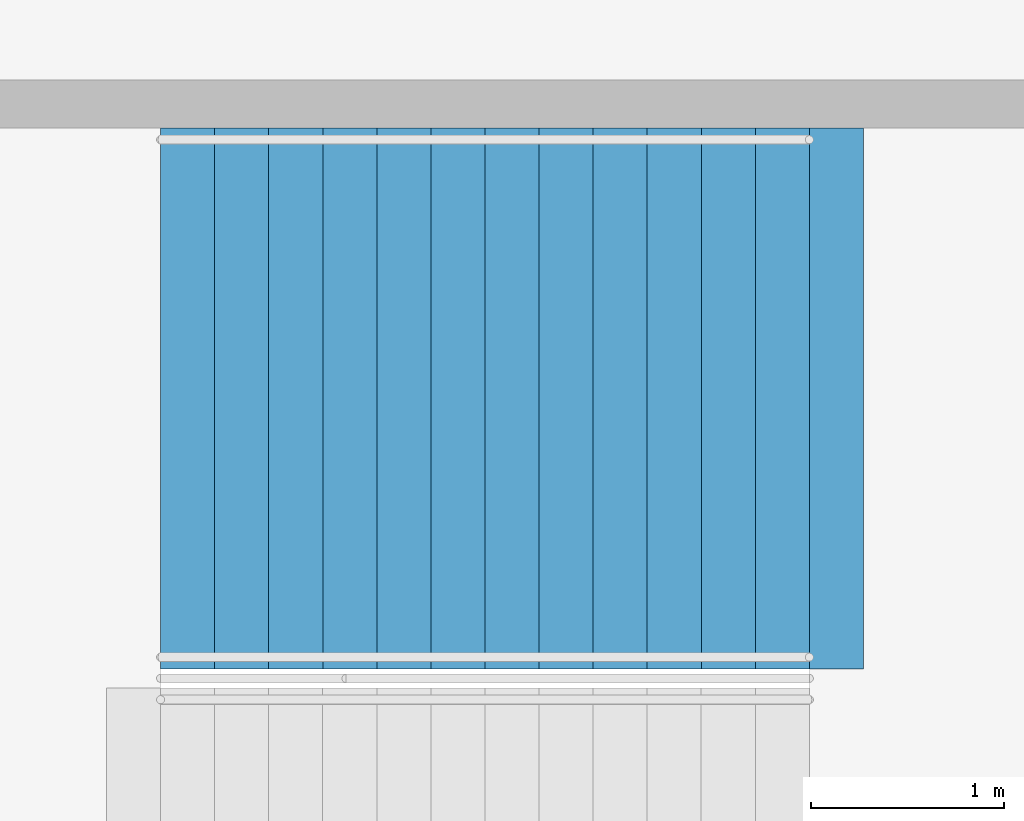
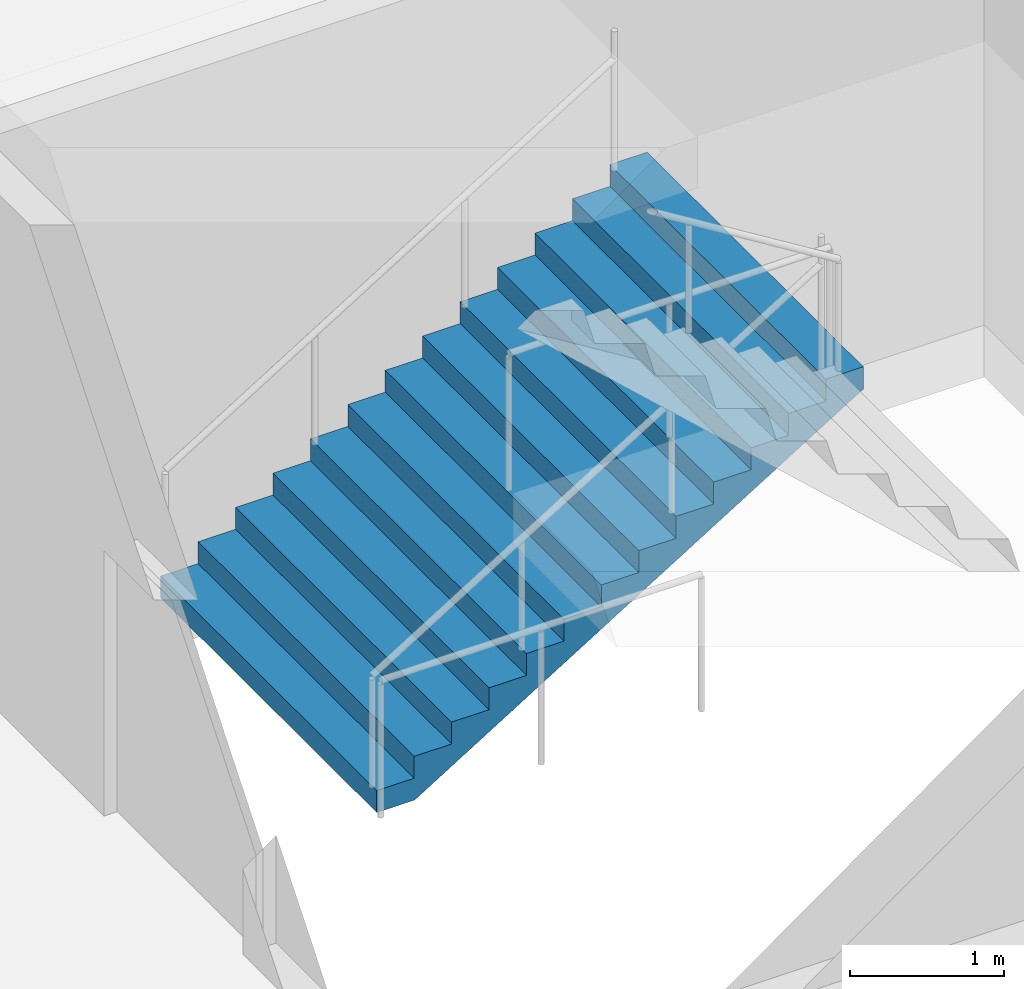
# One storey, part 145 of 199: 1 stair flight, 1 element without a shape of its own.
"""IFC4 building model written with IfcOpenShell, lengths in metres."""

import ifcopenshell
import ifcopenshell.guid

model = None  # the IFC model being written
_history = None  # IfcOwnerHistory: only IFC2X3 demands one
_inside = {}  # id of a spatial element -> (the spatial element, [elements in it])
_under = {}  # id of a project, library or spatial element -> (it, [spatial elements below it])
_declared = {}  # id of a project -> (the project, [libraries it declares])
_typed = {}  # id of a type object -> (the type object, [elements of that type])
_made_of = {}  # id of a material, layer set ... -> (it, [elements and type objects made of it])


def new_model(schema):
    """Start an empty IFC model of exactly this schema.

    Asked for "IFC4X3", IfcOpenShell would pick the latest addendum, in which some entities
    have other attributes; the version numbers below select the first issue.
    IFC2X3 requires an IfcOwnerHistory on every rooted entity: one is made here for all.
    """
    global model, _history
    if schema == "IFC4X3":
        model = ifcopenshell.file(schema_version=(4, 3, 0, 0))
    else:
        model = ifcopenshell.file(schema=schema)
    _inside.clear()
    _under.clear()
    _declared.clear()
    _typed.clear()
    _made_of.clear()
    _history = None
    if model.schema == "IFC2X3":
        org = make("IfcOrganization", Name="unknown")
        user = make(
            "IfcPersonAndOrganization",
            ThePerson=make("IfcPerson", FamilyName="unknown"),
            TheOrganization=org,
        )
        app = make(
            "IfcApplication",
            ApplicationDeveloper=org,
            Version="unknown",
            ApplicationFullName="unknown",
            ApplicationIdentifier="unknown",
        )
        _history = make(
            "IfcOwnerHistory",
            OwningUser=user,
            OwningApplication=app,
            ChangeAction="ADDED",
            CreationDate=0,
        )
    return model


def make(cls, **values):
    """One entity of the class cls with the attributes given. An attribute that is None is left unset."""
    return model.create_entity(
        cls, **{name: value for name, value in values.items() if value is not None}
    )


def rooted(cls, **values):
    """An entity with a GlobalId (a new one), such as an element, a storey or a relation."""
    return make(cls, GlobalId=ifcopenshell.guid.new(), OwnerHistory=_history, **values)


def si_unit(unit_type, name, prefix=None):
    """IfcSIUnit, for example si_unit("LENGTHUNIT", "METRE", prefix="MILLI")."""
    return make("IfcSIUnit", UnitType=unit_type, Prefix=prefix, Name=name)


def assignment(units):
    """IfcUnitAssignment: the units of a project."""
    return None if units is None else make("IfcUnitAssignment", Units=units)


def point(xyz):
    """IfcCartesianPoint."""
    return None if xyz is None else make("IfcCartesianPoint", Coordinates=xyz)


def direction(xyz):
    """IfcDirection."""
    return None if xyz is None else make("IfcDirection", DirectionRatios=xyz)


def frame(location, z_axis=None, x_axis=None):
    """IfcAxis2Placement3D, a coordinate frame: its origin and axes. An axis left out is left unset."""
    return make(
        "IfcAxis2Placement3D",
        Location=point(location),
        Axis=direction(z_axis),
        RefDirection=direction(x_axis),
    )


def origin():
    """The frame at (0, 0, 0) with its axes left unset."""
    return frame((0.0, 0.0, 0.0))


def place(relative_to, where):
    """IfcLocalPlacement: puts the frame where relative to a parent placement (None: the world)."""
    return make(
        "IfcLocalPlacement", PlacementRelTo=relative_to, RelativePlacement=where
    )


def context(
    kind, dimensions, precision=None, world=None, true_north=None, identifier=None
):
    """IfcGeometricRepresentationContext, for example the 3D "Model" context."""
    return make(
        "IfcGeometricRepresentationContext",
        ContextIdentifier=identifier,
        ContextType=kind,
        CoordinateSpaceDimension=dimensions,
        Precision=precision,
        WorldCoordinateSystem=world,
        TrueNorth=true_north,
    )


def subcontext(parent, identifier, kind, view, scale=None):
    """IfcGeometricRepresentationSubContext, for example "Body" below "Model"."""
    return make(
        "IfcGeometricRepresentationSubContext",
        ContextIdentifier=identifier,
        ContextType=kind,
        ParentContext=parent,
        TargetScale=scale,
        TargetView=view,
    )


def project(units=None, contexts=None):
    """IfcProject with its units and contexts."""
    return rooted(
        "IfcProject",
        Name="project",
        RepresentationContexts=contexts,
        UnitsInContext=assignment(units),
    )


def spatial(cls, under=None, at=None, **own):
    """A site, building, storey or space (cls), placed at a placement, below another one or the project."""
    s = rooted(cls, ObjectPlacement=at, **own)
    if under is not None:
        _under.setdefault(under.id(), (under, []))[1].append(s)
    return s


def faces_of(points, faces, orient=None, outer=None):
    """IfcFace entities. A face is a list of loops; a loop is a list of indices into points, from 0.

    orient and outer hold one flag for each loop. By default every Orientation is true, the
    first loop of a face is its IfcFaceOuterBound and the others are IfcFaceBound.
    """
    made = []
    for i, loops in enumerate(faces):
        bounds = []
        for j, loop in enumerate(loops):
            is_outer = j == 0 if outer is None else outer[i][j]
            bounds.append(
                make(
                    "IfcFaceOuterBound" if is_outer else "IfcFaceBound",
                    Bound=make("IfcPolyLoop", Polygon=[points[k] for k in loop]),
                    Orientation=True if orient is None else orient[i][j],
                )
            )
        made.append(make("IfcFace", Bounds=bounds))
    return made


def faceted_brep(points, faces, orient=None, outer=None, voids=None):
    """IfcFacetedBrep: a solid bounded by flat faces; with voids (closed shells), ...WithVoids."""
    shared = [point(p) for p in points]
    hull = make("IfcClosedShell", CfsFaces=faces_of(shared, faces, orient, outer))
    if voids is None:
        return make("IfcFacetedBrep", Outer=hull)
    return make(
        "IfcFacetedBrepWithVoids",
        Outer=hull,
        Voids=[
            make(cls, CfsFaces=faces_of(shared, fs, o, b)) for cls, fs, o, b in voids
        ],
    )


def shape(context_of_items, identifier, shape_type, items):
    """IfcShapeRepresentation: the items that make up one representation, for example the "Body"."""
    return make(
        "IfcShapeRepresentation",
        ContextOfItems=context_of_items,
        RepresentationIdentifier=identifier,
        RepresentationType=shape_type,
        Items=items,
    )


def material(Name=None, Category=None):
    """IfcMaterial."""
    return make("IfcMaterial", Name=Name, Category=Category)


def made_of(thing, what):
    """Note that an element or type object is made of a material, layer set ...; save() writes the relation."""
    if what is not None:
        _made_of.setdefault(what.id(), (what, []))[1].append(thing)
    return thing


def type_object(cls, material=None, **own):
    """A type object (cls), such as IfcWallType, which elements share."""
    return made_of(rooted(cls, **own), material)


def element(
    cls,
    number,
    at=None,
    inside=None,
    cuts=None,
    type_object=None,
    material=None,
    context=None,
    identifier="Body",
    shape_type=None,
    held_by="IfcProductDefinitionShape",
    body=None,
    shapes=None,
    **own,
):
    """One element of the class cls, such as IfcWall. Its Tag is "e" and its number.

    at: its placement. inside: the storey or other place that contains it. cuts: it is an
    opening in that element (IfcRelVoidsElement). A single representation is given by context,
    identifier, shape_type and body (its items); several are given by shapes. held_by: the class
    of the entity that holds the representations. save() writes the other relations.
    """
    e = rooted(cls, Tag="e%d" % number, ObjectPlacement=at, **own)
    if body is not None:
        shapes = [shape(context, identifier, shape_type, body)]
    if shapes is not None:
        e.Representation = make(held_by, Representations=shapes)
    if inside is not None:
        _inside.setdefault(inside.id(), (inside, []))[1].append(e)
    if cuts is not None:
        rooted(
            "IfcRelVoidsElement", RelatingBuildingElement=cuts, RelatedOpeningElement=e
        )
    if type_object is not None:
        _typed.setdefault(type_object.id(), (type_object, []))[1].append(e)
    return made_of(e, material)


def aggregate(whole, parts):
    """IfcRelAggregates: a whole, such as a stair, and the parts it consists of."""
    return rooted("IfcRelAggregates", RelatingObject=whole, RelatedObjects=parts)


def save(model, path):
    """Write the relations noted so far, then the file.

    IfcRelAggregates (storeys below a building ...), IfcRelContainedInSpatialStructure (elements
    in a storey), IfcRelDefinesByType, IfcRelAssociatesMaterial and IfcRelDeclares: one each for
    every whole, place, type object, material and project.
    """
    for whole, parts in _under.values():
        aggregate(whole, parts)
    for where, things in _inside.values():
        rooted(
            "IfcRelContainedInSpatialStructure",
            RelatedElements=things,
            RelatingStructure=where,
        )
    for kind, things in _typed.values():
        rooted("IfcRelDefinesByType", RelatedObjects=things, RelatingType=kind)
    for what, things in _made_of.values():
        rooted("IfcRelAssociatesMaterial", RelatedObjects=things, RelatingMaterial=what)
    for by, libraries in _declared.values():
        rooted("IfcRelDeclares", RelatingContext=by, RelatedDefinitions=libraries)
    model.write(path)


model = new_model("IFC4")

# Units and contexts
model_context = context("Model", 3, precision=1e-05, world=origin(), true_north=direction((0.0, 1.0)))
body_context = subcontext(model_context, "Body", "Model", "MODEL_VIEW")
ifc_project = project(units=[si_unit("LENGTHUNIT", "METRE"), si_unit("AREAUNIT", "SQUARE_METRE"), si_unit("VOLUMEUNIT", "CUBIC_METRE"), si_unit("PLANEANGLEUNIT", "RADIAN"), si_unit("MASSUNIT", "GRAM", prefix="KILO")], contexts=[model_context])

# Site, building, storey
site_placement = place(None, origin())
site = spatial("IfcSite", under=ifc_project, at=site_placement, CompositionType="ELEMENT")
building_placement = place(site_placement, origin())
building = spatial("IfcBuilding", under=site, at=building_placement, Name="Ogive Plaza Stadium", CompositionType="ELEMENT")
storey_placement = place(building_placement, frame((0.0, 0.0, 9.0)))
storey = spatial("IfcBuildingStorey", under=building, at=storey_placement, Name="L02", CompositionType="ELEMENT", Elevation=9.0)

# Stair, stair flight
ifc_material_1 = material(Name="Concrete C40/50", Category="concrete")
stair_type = type_object("IfcStairType", Name="Exit stair", PredefinedType="STRAIGHT_RUN_STAIR", material=ifc_material_1)
stair_placement = place(storey_placement, origin())
stair = element("IfcStair", 1, at=stair_placement, inside=storey, type_object=stair_type, Name="Exit stair ST06B L02 to L03", PredefinedType="STRAIGHT_RUN_STAIR")
ifc_material_2 = material(Name="Concrete C40/50", Category="concrete")
stair_flight_type = type_object("IfcStairFlightType", Name="Exit stair flight", PredefinedType="STRAIGHT", material=ifc_material_2)
stair_flight_placement = place(storey_placement, frame((76.35009765625, -18.074951171875, 0.0), z_axis=(0.0, 0.0, 1.0), x_axis=(1.0, 0.0, 0.0)))
stair_flight = element("IfcStairFlight", 2, at=stair_flight_placement, type_object=stair_flight_type, Name="ST06B flight 1", NumberOfRisers=13, NumberOfTreads=12, PredefinedType="STRAIGHT", RiserHeight=0.173076923, TreadLength=0.28, context=body_context, shape_type="Brep", body=[
    faceted_brep([(0.28515625, -1.39990234375, 0.0), (3.639892578125, -1.39990234375, 2.07373046875), (3.639892578125, -1.39990234375, 2.25), (3.360107421875, -1.39990234375, 2.25), (3.360107421875, -1.39990234375, 2.076904296875), (3.080078125, -1.39990234375, 2.076904296875), (3.080078125, -1.39990234375, 1.90380859375), (2.800048828125, -1.39990234375, 1.90380859375), (2.800048828125, -1.39990234375, 1.730712890625), (2.52001953125, -1.39990234375, 1.730712890625), (2.52001953125, -1.39990234375, 1.5576171875), (2.239990234375, -1.39990234375, 1.5576171875), (2.239990234375, -1.39990234375, 1.384521484375), (1.9599609375, -1.39990234375, 1.384521484375), (1.9599609375, -1.39990234375, 1.21142578125), (1.679931640625, -1.39990234375, 1.21142578125), (1.679931640625, -1.39990234375, 1.03857421875), (1.39990234375, -1.39990234375, 1.03857421875), (1.39990234375, -1.39990234375, 0.865478515625), (1.1201171875, -1.39990234375, 0.865478515625), (1.1201171875, -1.39990234375, 0.6923828125), (0.840087890625, -1.39990234375, 0.6923828125), (0.840087890625, -1.39990234375, 0.519287109375), (0.56005859375, -1.39990234375, 0.519287109375), (0.56005859375, -1.39990234375, 0.34619140625), (0.280029296875, -1.39990234375, 0.34619140625), (0.280029296875, -1.39990234375, 0.173095703125), (0.0, -1.39990234375, 0.173095703125), (0.0, -1.39990234375, 0.0), (0.0, 1.39990234375, 0.0), (0.0, 1.39990234375, 0.173095703125), (0.280029296875, 1.39990234375, 0.173095703125), (0.280029296875, 1.39990234375, 0.34619140625), (0.56005859375, 1.39990234375, 0.34619140625), (0.56005859375, 1.39990234375, 0.519287109375), (0.840087890625, 1.39990234375, 0.519287109375), (0.840087890625, 1.39990234375, 0.6923828125), (1.1201171875, 1.39990234375, 0.6923828125), (1.1201171875, 1.39990234375, 0.865478515625), (1.39990234375, 1.39990234375, 0.865478515625), (1.39990234375, 1.39990234375, 1.03857421875), (1.679931640625, 1.39990234375, 1.03857421875), (1.679931640625, 1.39990234375, 1.21142578125), (1.9599609375, 1.39990234375, 1.21142578125), (1.9599609375, 1.39990234375, 1.384521484375), (2.239990234375, 1.39990234375, 1.384521484375), (2.239990234375, 1.39990234375, 1.5576171875), (2.52001953125, 1.39990234375, 1.5576171875), (2.52001953125, 1.39990234375, 1.730712890625), (2.800048828125, 1.39990234375, 1.730712890625), (2.800048828125, 1.39990234375, 1.90380859375), (3.080078125, 1.39990234375, 1.90380859375), (3.080078125, 1.39990234375, 2.076904296875), (3.360107421875, 1.39990234375, 2.076904296875), (3.360107421875, 1.39990234375, 2.25), (3.639892578125, 1.39990234375, 2.25), (3.639892578125, 1.39990234375, 2.07373046875), (0.28515625, 1.39990234375, 0.0), (0.28515625, -1.0888671875, 0.0), (3.639892578125, -1.0888671875, 2.07373046875), (0.28515625, -0.77783203125, 0.0), (3.639892578125, -0.77783203125, 2.07373046875), (0.28515625, -0.466796875, 0.0), (3.639892578125, -0.466796875, 2.07373046875), (0.28515625, -0.155517578125, 0.0), (3.639892578125, -0.155517578125, 2.07373046875), (0.28515625, 0.155517578125, 0.0), (3.639892578125, 0.155517578125, 2.07373046875), (0.28515625, 0.466796875, 0.0), (3.639892578125, 0.466796875, 2.07373046875), (0.28515625, 0.77783203125, 0.0), (3.639892578125, 0.77783203125, 2.07373046875), (0.28515625, 1.0888671875, 0.0), (3.639892578125, 1.0888671875, 2.07373046875), (3.639892578125, -1.0888671875, 2.25), (3.639892578125, -0.77783203125, 2.25), (3.639892578125, -0.466796875, 2.25), (3.639892578125, -0.155517578125, 2.25), (3.639892578125, 0.155517578125, 2.25), (3.639892578125, 0.466796875, 2.25), (3.639892578125, 0.77783203125, 2.25), (3.639892578125, 1.0888671875, 2.25), (3.360107421875, -1.0888671875, 2.25), (3.360107421875, -0.77783203125, 2.25), (3.360107421875, -0.466796875, 2.25), (3.360107421875, -0.155517578125, 2.25), (3.360107421875, 0.155517578125, 2.25), (3.360107421875, 0.466796875, 2.25), (3.360107421875, 0.77783203125, 2.25), (3.360107421875, 1.0888671875, 2.25), (3.360107421875, -1.0888671875, 2.076904296875), (3.360107421875, -0.77783203125, 2.076904296875), (3.360107421875, -0.466796875, 2.076904296875), (3.360107421875, -0.155517578125, 2.076904296875), (3.360107421875, 0.155517578125, 2.076904296875), (3.360107421875, 0.466796875, 2.076904296875), (3.360107421875, 0.77783203125, 2.076904296875), (3.360107421875, 1.0888671875, 2.076904296875), (3.080078125, -1.0888671875, 2.076904296875), (3.080078125, -0.77783203125, 2.076904296875), (3.080078125, -0.466796875, 2.076904296875), (3.080078125, -0.155517578125, 2.076904296875), (3.080078125, 0.155517578125, 2.076904296875), (3.080078125, 0.466796875, 2.076904296875), (3.080078125, 0.77783203125, 2.076904296875), (3.080078125, 1.0888671875, 2.076904296875), (3.080078125, -1.0888671875, 1.90380859375), (3.080078125, -0.77783203125, 1.90380859375), (3.080078125, -0.466796875, 1.90380859375), (3.080078125, -0.155517578125, 1.90380859375), (3.080078125, 0.155517578125, 1.90380859375), (3.080078125, 0.466796875, 1.90380859375), (3.080078125, 0.77783203125, 1.90380859375), (3.080078125, 1.0888671875, 1.90380859375), (2.800048828125, -1.0888671875, 1.90380859375), (2.800048828125, -0.77783203125, 1.90380859375), (2.800048828125, -0.466796875, 1.90380859375), (2.800048828125, -0.155517578125, 1.90380859375), (2.800048828125, 0.155517578125, 1.90380859375), (2.800048828125, 0.466796875, 1.90380859375), (2.800048828125, 0.77783203125, 1.90380859375), (2.800048828125, 1.0888671875, 1.90380859375), (2.800048828125, -1.0888671875, 1.730712890625), (2.800048828125, -0.77783203125, 1.730712890625), (2.800048828125, -0.466796875, 1.730712890625), (2.800048828125, -0.155517578125, 1.730712890625), (2.800048828125, 0.155517578125, 1.730712890625), (2.800048828125, 0.466796875, 1.730712890625), (2.800048828125, 0.77783203125, 1.730712890625), (2.800048828125, 1.0888671875, 1.730712890625), (2.52001953125, -1.0888671875, 1.730712890625), (2.52001953125, -0.77783203125, 1.730712890625), (2.52001953125, -0.466796875, 1.730712890625), (2.52001953125, -0.155517578125, 1.730712890625), (2.52001953125, 0.155517578125, 1.730712890625), (2.52001953125, 0.466796875, 1.730712890625), (2.52001953125, 0.77783203125, 1.730712890625), (2.52001953125, 1.0888671875, 1.730712890625), (2.52001953125, -1.0888671875, 1.5576171875), (2.52001953125, -0.77783203125, 1.5576171875), (2.52001953125, -0.466796875, 1.5576171875), (2.52001953125, -0.155517578125, 1.5576171875), (2.52001953125, 0.155517578125, 1.5576171875), (2.52001953125, 0.466796875, 1.5576171875), (2.52001953125, 0.77783203125, 1.5576171875), (2.52001953125, 1.0888671875, 1.5576171875), (2.239990234375, -1.0888671875, 1.5576171875), (2.239990234375, -0.77783203125, 1.5576171875), (2.239990234375, -0.466796875, 1.5576171875), (2.239990234375, -0.155517578125, 1.5576171875), (2.239990234375, 0.155517578125, 1.5576171875), (2.239990234375, 0.466796875, 1.5576171875), (2.239990234375, 0.77783203125, 1.5576171875), (2.239990234375, 1.0888671875, 1.5576171875), (2.239990234375, -1.0888671875, 1.384521484375), (2.239990234375, -0.77783203125, 1.384521484375), (2.239990234375, -0.466796875, 1.384521484375), (2.239990234375, -0.155517578125, 1.384521484375), (2.239990234375, 0.155517578125, 1.384521484375), (2.239990234375, 0.466796875, 1.384521484375), (2.239990234375, 0.77783203125, 1.384521484375), (2.239990234375, 1.0888671875, 1.384521484375), (1.9599609375, -1.0888671875, 1.384521484375), (1.9599609375, -0.77783203125, 1.384521484375), (1.9599609375, -0.466796875, 1.384521484375), (1.9599609375, -0.155517578125, 1.384521484375), (1.9599609375, 0.155517578125, 1.384521484375), (1.9599609375, 0.466796875, 1.384521484375), (1.9599609375, 0.77783203125, 1.384521484375), (1.9599609375, 1.0888671875, 1.384521484375), (1.9599609375, -1.0888671875, 1.21142578125), (1.9599609375, -0.77783203125, 1.21142578125), (1.9599609375, -0.466796875, 1.21142578125), (1.9599609375, -0.155517578125, 1.21142578125), (1.9599609375, 0.155517578125, 1.21142578125), (1.9599609375, 0.466796875, 1.21142578125), (1.9599609375, 0.77783203125, 1.21142578125), (1.9599609375, 1.0888671875, 1.21142578125), (1.679931640625, -1.0888671875, 1.21142578125), (1.679931640625, -0.77783203125, 1.21142578125), (1.679931640625, -0.466796875, 1.21142578125), (1.679931640625, -0.155517578125, 1.21142578125), (1.679931640625, 0.155517578125, 1.21142578125), (1.679931640625, 0.466796875, 1.21142578125), (1.679931640625, 0.77783203125, 1.21142578125), (1.679931640625, 1.0888671875, 1.21142578125), (1.679931640625, -1.0888671875, 1.03857421875), (1.679931640625, -0.77783203125, 1.03857421875), (1.679931640625, -0.466796875, 1.03857421875), (1.679931640625, -0.155517578125, 1.03857421875), (1.679931640625, 0.155517578125, 1.03857421875), (1.679931640625, 0.466796875, 1.03857421875), (1.679931640625, 0.77783203125, 1.03857421875), (1.679931640625, 1.0888671875, 1.03857421875), (1.39990234375, -1.0888671875, 1.03857421875), (1.39990234375, -0.77783203125, 1.03857421875), (1.39990234375, -0.466796875, 1.03857421875), (1.39990234375, -0.155517578125, 1.03857421875), (1.39990234375, 0.155517578125, 1.03857421875), (1.39990234375, 0.466796875, 1.03857421875), (1.39990234375, 0.77783203125, 1.03857421875), (1.39990234375, 1.0888671875, 1.03857421875), (1.39990234375, -1.0888671875, 0.865478515625), (1.39990234375, -0.77783203125, 0.865478515625), (1.39990234375, -0.466796875, 0.865478515625), (1.39990234375, -0.155517578125, 0.865478515625), (1.39990234375, 0.155517578125, 0.865478515625), (1.39990234375, 0.466796875, 0.865478515625), (1.39990234375, 0.77783203125, 0.865478515625), (1.39990234375, 1.0888671875, 0.865478515625), (1.1201171875, -1.0888671875, 0.865478515625), (1.1201171875, -0.77783203125, 0.865478515625), (1.1201171875, -0.466796875, 0.865478515625), (1.1201171875, -0.155517578125, 0.865478515625), (1.1201171875, 0.155517578125, 0.865478515625), (1.1201171875, 0.466796875, 0.865478515625), (1.1201171875, 0.77783203125, 0.865478515625), (1.1201171875, 1.0888671875, 0.865478515625), (1.1201171875, -1.0888671875, 0.6923828125), (1.1201171875, -0.77783203125, 0.6923828125), (1.1201171875, -0.466796875, 0.6923828125), (1.1201171875, -0.155517578125, 0.6923828125), (1.1201171875, 0.155517578125, 0.6923828125), (1.1201171875, 0.466796875, 0.6923828125), (1.1201171875, 0.77783203125, 0.6923828125), (1.1201171875, 1.0888671875, 0.6923828125), (0.840087890625, -1.0888671875, 0.6923828125), (0.840087890625, -0.77783203125, 0.6923828125), (0.840087890625, -0.466796875, 0.6923828125), (0.840087890625, -0.155517578125, 0.6923828125), (0.840087890625, 0.155517578125, 0.6923828125), (0.840087890625, 0.466796875, 0.6923828125), (0.840087890625, 0.77783203125, 0.6923828125), (0.840087890625, 1.0888671875, 0.6923828125), (0.840087890625, -1.0888671875, 0.519287109375), (0.840087890625, -0.77783203125, 0.519287109375), (0.840087890625, -0.466796875, 0.519287109375), (0.840087890625, -0.155517578125, 0.519287109375), (0.840087890625, 0.155517578125, 0.519287109375), (0.840087890625, 0.466796875, 0.519287109375), (0.840087890625, 0.77783203125, 0.519287109375), (0.840087890625, 1.0888671875, 0.519287109375), (0.56005859375, -1.0888671875, 0.519287109375), (0.56005859375, -0.77783203125, 0.519287109375), (0.56005859375, -0.466796875, 0.519287109375), (0.56005859375, -0.155517578125, 0.519287109375), (0.56005859375, 0.155517578125, 0.519287109375), (0.56005859375, 0.466796875, 0.519287109375), (0.56005859375, 0.77783203125, 0.519287109375), (0.56005859375, 1.0888671875, 0.519287109375), (0.56005859375, -1.0888671875, 0.34619140625), (0.56005859375, -0.77783203125, 0.34619140625), (0.56005859375, -0.466796875, 0.34619140625), (0.56005859375, -0.155517578125, 0.34619140625), (0.56005859375, 0.155517578125, 0.34619140625), (0.56005859375, 0.466796875, 0.34619140625), (0.56005859375, 0.77783203125, 0.34619140625), (0.56005859375, 1.0888671875, 0.34619140625), (0.280029296875, -1.0888671875, 0.34619140625), (0.280029296875, -0.77783203125, 0.34619140625), (0.280029296875, -0.466796875, 0.34619140625), (0.280029296875, -0.155517578125, 0.34619140625), (0.280029296875, 0.155517578125, 0.34619140625), (0.280029296875, 0.466796875, 0.34619140625), (0.280029296875, 0.77783203125, 0.34619140625), (0.280029296875, 1.0888671875, 0.34619140625), (0.280029296875, -1.0888671875, 0.173095703125), (0.280029296875, -0.77783203125, 0.173095703125), (0.280029296875, -0.466796875, 0.173095703125), (0.280029296875, -0.155517578125, 0.173095703125), (0.280029296875, 0.155517578125, 0.173095703125), (0.280029296875, 0.466796875, 0.173095703125), (0.280029296875, 0.77783203125, 0.173095703125), (0.280029296875, 1.0888671875, 0.173095703125), (0.0, -1.0888671875, 0.173095703125), (0.0, -0.77783203125, 0.173095703125), (0.0, -0.466796875, 0.173095703125), (0.0, -0.155517578125, 0.173095703125), (0.0, 0.155517578125, 0.173095703125), (0.0, 0.466796875, 0.173095703125), (0.0, 0.77783203125, 0.173095703125), (0.0, 1.0888671875, 0.173095703125), (0.0, -1.0888671875, 0.0), (0.0, -0.77783203125, 0.0), (0.0, -0.466796875, 0.0), (0.0, -0.155517578125, 0.0), (0.0, 0.155517578125, 0.0), (0.0, 0.466796875, 0.0), (0.0, 0.77783203125, 0.0), (0.0, 1.0888671875, 0.0)], [[[0, 1, 2, 3, 4, 5, 6, 7, 8, 9, 10, 11, 12, 13, 14, 15, 16, 17, 18, 19, 20, 21, 22, 23, 24, 25, 26, 27, 28]], [[29, 30, 31, 32, 33, 34, 35, 36, 37, 38, 39, 40, 41, 42, 43, 44, 45, 46, 47, 48, 49, 50, 51, 52, 53, 54, 55, 56, 57]], [[0, 58, 59, 1]], [[58, 60, 61, 59]], [[60, 62, 63, 61]], [[62, 64, 65, 63]], [[64, 66, 67, 65]], [[66, 68, 69, 67]], [[68, 70, 71, 69]], [[70, 72, 73, 71]], [[72, 57, 56, 73]], [[1, 59, 74, 2]], [[59, 61, 75, 74]], [[61, 63, 76, 75]], [[63, 65, 77, 76]], [[65, 67, 78, 77]], [[67, 69, 79, 78]], [[69, 71, 80, 79]], [[71, 73, 81, 80]], [[73, 56, 55, 81]], [[2, 74, 82, 3]], [[74, 75, 83, 82]], [[75, 76, 84, 83]], [[76, 77, 85, 84]], [[77, 78, 86, 85]], [[78, 79, 87, 86]], [[79, 80, 88, 87]], [[80, 81, 89, 88]], [[81, 55, 54, 89]], [[3, 82, 90, 4]], [[82, 83, 91, 90]], [[83, 84, 92, 91]], [[84, 85, 93, 92]], [[85, 86, 94, 93]], [[86, 87, 95, 94]], [[87, 88, 96, 95]], [[88, 89, 97, 96]], [[89, 54, 53, 97]], [[4, 90, 98, 5]], [[90, 91, 99, 98]], [[91, 92, 100, 99]], [[92, 93, 101, 100]], [[93, 94, 102, 101]], [[94, 95, 103, 102]], [[95, 96, 104, 103]], [[96, 97, 105, 104]], [[97, 53, 52, 105]], [[5, 98, 106, 6]], [[98, 99, 107, 106]], [[99, 100, 108, 107]], [[100, 101, 109, 108]], [[101, 102, 110, 109]], [[102, 103, 111, 110]], [[103, 104, 112, 111]], [[104, 105, 113, 112]], [[105, 52, 51, 113]], [[6, 106, 114, 7]], [[106, 107, 115, 114]], [[107, 108, 116, 115]], [[108, 109, 117, 116]], [[109, 110, 118, 117]], [[110, 111, 119, 118]], [[111, 112, 120, 119]], [[112, 113, 121, 120]], [[113, 51, 50, 121]], [[7, 114, 122, 8]], [[114, 115, 123, 122]], [[115, 116, 124, 123]], [[116, 117, 125, 124]], [[117, 118, 126, 125]], [[118, 119, 127, 126]], [[119, 120, 128, 127]], [[120, 121, 129, 128]], [[121, 50, 49, 129]], [[8, 122, 130, 9]], [[122, 123, 131, 130]], [[123, 124, 132, 131]], [[124, 125, 133, 132]], [[125, 126, 134, 133]], [[126, 127, 135, 134]], [[127, 128, 136, 135]], [[128, 129, 137, 136]], [[129, 49, 48, 137]], [[9, 130, 138, 10]], [[130, 131, 139, 138]], [[131, 132, 140, 139]], [[132, 133, 141, 140]], [[133, 134, 142, 141]], [[134, 135, 143, 142]], [[135, 136, 144, 143]], [[136, 137, 145, 144]], [[137, 48, 47, 145]], [[10, 138, 146, 11]], [[138, 139, 147, 146]], [[139, 140, 148, 147]], [[140, 141, 149, 148]], [[141, 142, 150, 149]], [[142, 143, 151, 150]], [[143, 144, 152, 151]], [[144, 145, 153, 152]], [[145, 47, 46, 153]], [[11, 146, 154, 12]], [[146, 147, 155, 154]], [[147, 148, 156, 155]], [[148, 149, 157, 156]], [[149, 150, 158, 157]], [[150, 151, 159, 158]], [[151, 152, 160, 159]], [[152, 153, 161, 160]], [[153, 46, 45, 161]], [[12, 154, 162, 13]], [[154, 155, 163, 162]], [[155, 156, 164, 163]], [[156, 157, 165, 164]], [[157, 158, 166, 165]], [[158, 159, 167, 166]], [[159, 160, 168, 167]], [[160, 161, 169, 168]], [[161, 45, 44, 169]], [[13, 162, 170, 14]], [[162, 163, 171, 170]], [[163, 164, 172, 171]], [[164, 165, 173, 172]], [[165, 166, 174, 173]], [[166, 167, 175, 174]], [[167, 168, 176, 175]], [[168, 169, 177, 176]], [[169, 44, 43, 177]], [[14, 170, 178, 15]], [[170, 171, 179, 178]], [[171, 172, 180, 179]], [[172, 173, 181, 180]], [[173, 174, 182, 181]], [[174, 175, 183, 182]], [[175, 176, 184, 183]], [[176, 177, 185, 184]], [[177, 43, 42, 185]], [[15, 178, 186, 16]], [[178, 179, 187, 186]], [[179, 180, 188, 187]], [[180, 181, 189, 188]], [[181, 182, 190, 189]], [[182, 183, 191, 190]], [[183, 184, 192, 191]], [[184, 185, 193, 192]], [[185, 42, 41, 193]], [[16, 186, 194, 17]], [[186, 187, 195, 194]], [[187, 188, 196, 195]], [[188, 189, 197, 196]], [[189, 190, 198, 197]], [[190, 191, 199, 198]], [[191, 192, 200, 199]], [[192, 193, 201, 200]], [[193, 41, 40, 201]], [[17, 194, 202, 18]], [[194, 195, 203, 202]], [[195, 196, 204, 203]], [[196, 197, 205, 204]], [[197, 198, 206, 205]], [[198, 199, 207, 206]], [[199, 200, 208, 207]], [[200, 201, 209, 208]], [[201, 40, 39, 209]], [[18, 202, 210, 19]], [[202, 203, 211, 210]], [[203, 204, 212, 211]], [[204, 205, 213, 212]], [[205, 206, 214, 213]], [[206, 207, 215, 214]], [[207, 208, 216, 215]], [[208, 209, 217, 216]], [[209, 39, 38, 217]], [[19, 210, 218, 20]], [[210, 211, 219, 218]], [[211, 212, 220, 219]], [[212, 213, 221, 220]], [[213, 214, 222, 221]], [[214, 215, 223, 222]], [[215, 216, 224, 223]], [[216, 217, 225, 224]], [[217, 38, 37, 225]], [[20, 218, 226, 21]], [[218, 219, 227, 226]], [[219, 220, 228, 227]], [[220, 221, 229, 228]], [[221, 222, 230, 229]], [[222, 223, 231, 230]], [[223, 224, 232, 231]], [[224, 225, 233, 232]], [[225, 37, 36, 233]], [[21, 226, 234, 22]], [[226, 227, 235, 234]], [[227, 228, 236, 235]], [[228, 229, 237, 236]], [[229, 230, 238, 237]], [[230, 231, 239, 238]], [[231, 232, 240, 239]], [[232, 233, 241, 240]], [[233, 36, 35, 241]], [[22, 234, 242, 23]], [[234, 235, 243, 242]], [[235, 236, 244, 243]], [[236, 237, 245, 244]], [[237, 238, 246, 245]], [[238, 239, 247, 246]], [[239, 240, 248, 247]], [[240, 241, 249, 248]], [[241, 35, 34, 249]], [[23, 242, 250, 24]], [[242, 243, 251, 250]], [[243, 244, 252, 251]], [[244, 245, 253, 252]], [[245, 246, 254, 253]], [[246, 247, 255, 254]], [[247, 248, 256, 255]], [[248, 249, 257, 256]], [[249, 34, 33, 257]], [[24, 250, 258, 25]], [[250, 251, 259, 258]], [[251, 252, 260, 259]], [[252, 253, 261, 260]], [[253, 254, 262, 261]], [[254, 255, 263, 262]], [[255, 256, 264, 263]], [[256, 257, 265, 264]], [[257, 33, 32, 265]], [[25, 258, 266, 26]], [[258, 259, 267, 266]], [[259, 260, 268, 267]], [[260, 261, 269, 268]], [[261, 262, 270, 269]], [[262, 263, 271, 270]], [[263, 264, 272, 271]], [[264, 265, 273, 272]], [[265, 32, 31, 273]], [[26, 266, 274, 27]], [[266, 267, 275, 274]], [[267, 268, 276, 275]], [[268, 269, 277, 276]], [[269, 270, 278, 277]], [[270, 271, 279, 278]], [[271, 272, 280, 279]], [[272, 273, 281, 280]], [[273, 31, 30, 281]], [[27, 274, 282, 28]], [[274, 275, 283, 282]], [[275, 276, 284, 283]], [[276, 277, 285, 284]], [[277, 278, 286, 285]], [[278, 279, 287, 286]], [[279, 280, 288, 287]], [[280, 281, 289, 288]], [[281, 30, 29, 289]], [[28, 282, 58, 0]], [[282, 283, 60, 58]], [[283, 284, 62, 60]], [[284, 285, 64, 62]], [[285, 286, 66, 64]], [[286, 287, 68, 66]], [[287, 288, 70, 68]], [[288, 289, 72, 70]], [[289, 29, 57, 72]]]),
])
aggregate(stair, [stair_flight])

save(model, "model.ifc")
